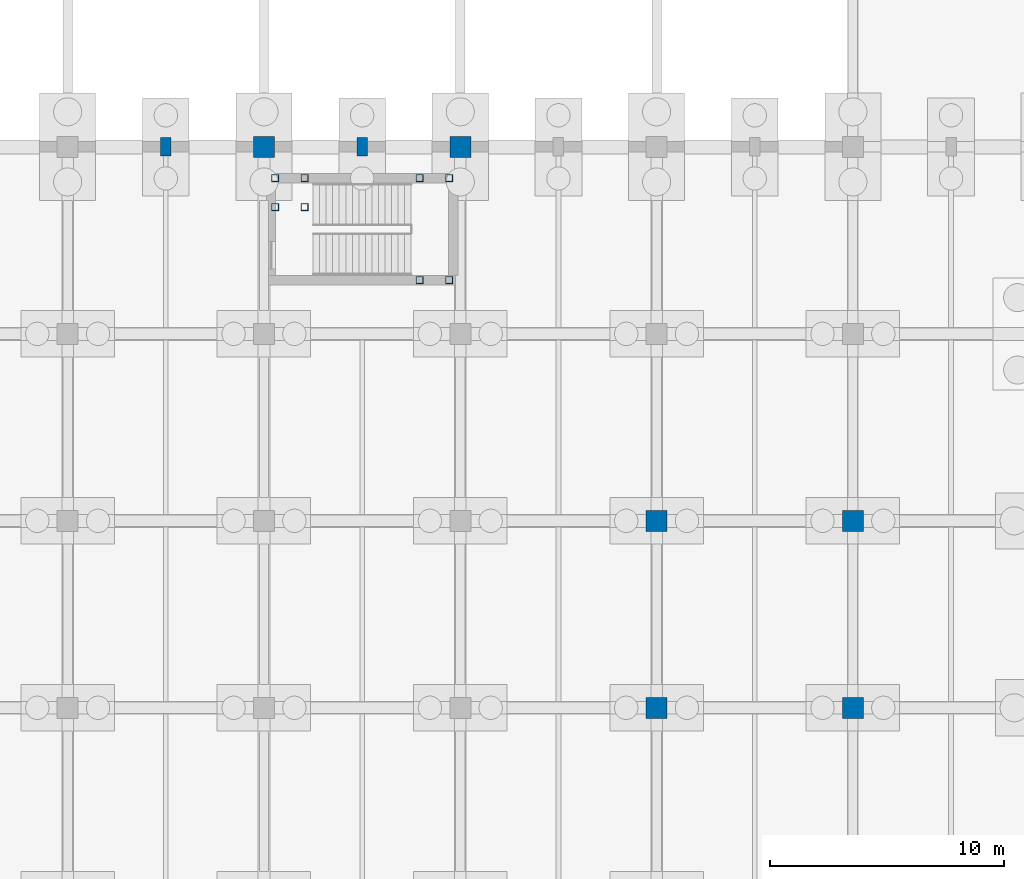
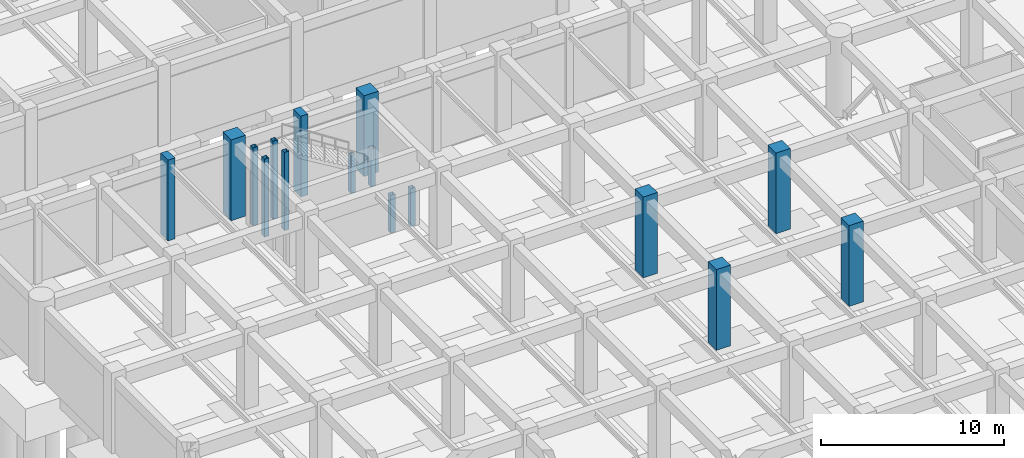
# One storey, part 13 of 56: 16 columns.
"""IFC4 building model written with IfcOpenShell, lengths in metres."""

from ifc_helpers import new_model, si_unit, direction, frame, origin, origin_2d, place, context, subcontext, project, spatial, rectangle, hollow_rectangle, extrude, material, material_profile, profile_set, type_object, element, save


model = new_model("IFC4")

# Units and contexts
model_context = context("Model", 3, precision=1e-05, world=origin(), true_north=direction((0.0, 1.0)))
body_context = subcontext(model_context, "Body", "Model", "MODEL_VIEW")
ifc_project = project(units=[si_unit("LENGTHUNIT", "METRE"), si_unit("AREAUNIT", "SQUARE_METRE"), si_unit("VOLUMEUNIT", "CUBIC_METRE"), si_unit("PLANEANGLEUNIT", "RADIAN"), si_unit("MASSUNIT", "GRAM", prefix="KILO")], contexts=[model_context])

# Site, building, storey
site_placement = place(None, origin())
site = spatial("IfcSite", under=ifc_project, at=site_placement, CompositionType="ELEMENT")
building_placement = place(site_placement, origin())
building = spatial("IfcBuilding", under=site, at=building_placement, Name="Naruveol Harbour Congress Hotel", CompositionType="ELEMENT")
storey_placement = place(building_placement, frame((0.0, 0.0, -5.39990234375)))
storey = spatial("IfcBuildingStorey", under=building, at=storey_placement, Name="B01", CompositionType="ELEMENT", Elevation=-5.39990234375)

# Columns
ifc_material_1 = material(Name="Concrete C50/60", Category="concrete")
ifc_material_profile_1 = material_profile(ifc_material_1, rectangle(XDim=0.449951171875, YDim=0.800048828125, at=origin_2d()), Name="RC-450x800")
ifc_profile_set_1 = profile_set([ifc_material_profile_1], Name="Concrete C50/60")
column_type_1 = type_object("IfcColumnType", Name="RC ACOUSTIC WALL PILASTER 450X800", PredefinedType="PILASTER", material=ifc_profile_set_1)
for number, where, z_axis, x_axis, name in (
    (1, (12.60009765625, 56.0, 0.0), (0.0, 0.0, 1.0), (1.0, 0.0, 0.0), "Column PL-450 B01 (12.6,56.0)"),
    (2, (21.0, 56.0, 0.0), (0.0, 0.0, 1.0), (1.0, 0.0, 0.0), "Column PL-450 B01 (21.0,56.0)"),
):
    element("IfcColumn", number, at=place(storey_placement, frame(where, z_axis=z_axis, x_axis=x_axis)), inside=storey, type_object=column_type_1, Name=name, PredefinedType="PILASTER", context=body_context, shape_type="SweptSolid", body=[
        extrude(rectangle(XDim=0.449951171875, YDim=0.800048828125, at=origin_2d()), origin(), (0.0, 0.0, 1.0), 5.39990234375),
    ])
ifc_material_2 = material(Name="Concrete C50/60", Category="concrete")
ifc_material_profile_2 = material_profile(ifc_material_2, rectangle(XDim=0.89990234375, YDim=0.89990234375, at=origin_2d()), Name="RC-900x900")
ifc_profile_set_2 = profile_set([ifc_material_profile_2], Name="Concrete C50/60")
column_type_2 = type_object("IfcColumnType", Name="RC PRIMARY COLUMN 900X900", PredefinedType="COLUMN", material=ifc_profile_set_2)
for number, where, z_axis, x_axis, name in (
    (3, (16.800048828125, 56.0, 0.0), (0.0, 0.0, 1.0), (1.0, 0.0, 0.0), "Column C-900 B01 (16.8,56.0)"),
    (4, (25.199951171875, 56.0, 0.0), (0.0, 0.0, 1.0), (1.0, 0.0, 0.0), "Column C-900 B01 (25.2,56.0)"),
    (5, (33.60009765625, 32.0, 0.0), (0.0, 0.0, 1.0), (1.0, 0.0, 0.0), "Column C-900 B01 (33.6,32.0)"),
    (6, (33.60009765625, 40.0, 0.0), (0.0, 0.0, 1.0), (1.0, 0.0, 0.0), "Column C-900 B01 (33.6,40.0)"),
    (7, (42.0, 32.0, 0.0), (0.0, 0.0, 1.0), (1.0, 0.0, 0.0), "Column C-900 B01 (42.0,32.0)"),
    (8, (42.0, 40.0, 0.0), (0.0, 0.0, 1.0), (1.0, 0.0, 0.0), "Column C-900 B01 (42.0,40.0)"),
):
    element("IfcColumn", number, at=place(storey_placement, frame(where, z_axis=z_axis, x_axis=x_axis)), inside=storey, type_object=column_type_2, Name=name, PredefinedType="COLUMN", context=body_context, shape_type="SweptSolid", body=[
        extrude(rectangle(XDim=0.89990234375, YDim=0.89990234375, at=origin_2d()), origin(), (0.0, 0.0, 1.0), 5.39990234375),
    ])
ifc_material_3 = material(Name="Steel SN490", Category="steel")
ifc_material_profile_3 = material_profile(ifc_material_3, hollow_rectangle(XDim=0.300048828125, YDim=0.300048828125, WallThickness=0.011962890625, at=origin_2d()), Name="SHS-300x300x12")
ifc_profile_set_3 = profile_set([ifc_material_profile_3], Name="Steel SN490")
column_type_3 = type_object("IfcColumnType", Name="STEEL COLONNADE POST SHS300", PredefinedType="COLUMN", material=ifc_profile_set_3)
for number, where, z_axis, x_axis, name in (
    (9, (17.280029296875, 53.419921875, 0.0), (0.0, 0.0, 1.0), (1.0, 0.0, 0.0), "Stair landing support post ST6W #361"),
    (10, (17.280029296875, 54.659912109375, 0.0), (0.0, 0.0, 1.0), (1.0, 0.0, 0.0), "Stair landing support post ST6W #364"),
    (11, (18.5400390625, 53.419921875, 0.0), (0.0, 0.0, 1.0), (1.0, 0.0, 0.0), "Stair landing support post ST6W #367"),
    (12, (18.5400390625, 54.659912109375, 0.0), (0.0, 0.0, 1.0), (1.0, 0.0, 0.0), "Stair landing support post ST6W #370"),
):
    element("IfcColumn", number, at=place(storey_placement, frame(where, z_axis=z_axis, x_axis=x_axis)), inside=storey, type_object=column_type_3, Name=name, PredefinedType="COLUMN", context=body_context, shape_type="SweptSolid", body=[
        extrude(hollow_rectangle(XDim=0.300048828125, YDim=0.300048828125, WallThickness=0.011962890625, at=origin_2d()), origin(), (0.0, 0.0, 1.0), 5.219970703125),
    ])
for number, where, z_axis, x_axis, name in (
    (13, (23.4599609375, 50.300048828125, 0.0), (0.0, 0.0, 1.0), (1.0, 0.0, 0.0), "Stair landing support post ST6E #373"),
    (14, (23.4599609375, 54.659912109375, 0.0), (0.0, 0.0, 1.0), (1.0, 0.0, 0.0), "Stair landing support post ST6E #376"),
    (15, (24.719970703125, 50.300048828125, 0.0), (0.0, 0.0, 1.0), (1.0, 0.0, 0.0), "Stair landing support post ST6E #379"),
    (16, (24.719970703125, 54.659912109375, 0.0), (0.0, 0.0, 1.0), (1.0, 0.0, 0.0), "Stair landing support post ST6E #382"),
):
    element("IfcColumn", number, at=place(storey_placement, frame(where, z_axis=z_axis, x_axis=x_axis)), inside=storey, type_object=column_type_3, Name=name, PredefinedType="COLUMN", context=body_context, shape_type="SweptSolid", body=[
        extrude(hollow_rectangle(XDim=0.300048828125, YDim=0.300048828125, WallThickness=0.011962890625, at=origin_2d()), origin(), (0.0, 0.0, 1.0), 2.52001953125),
    ])

save(model, "model.ifc")
